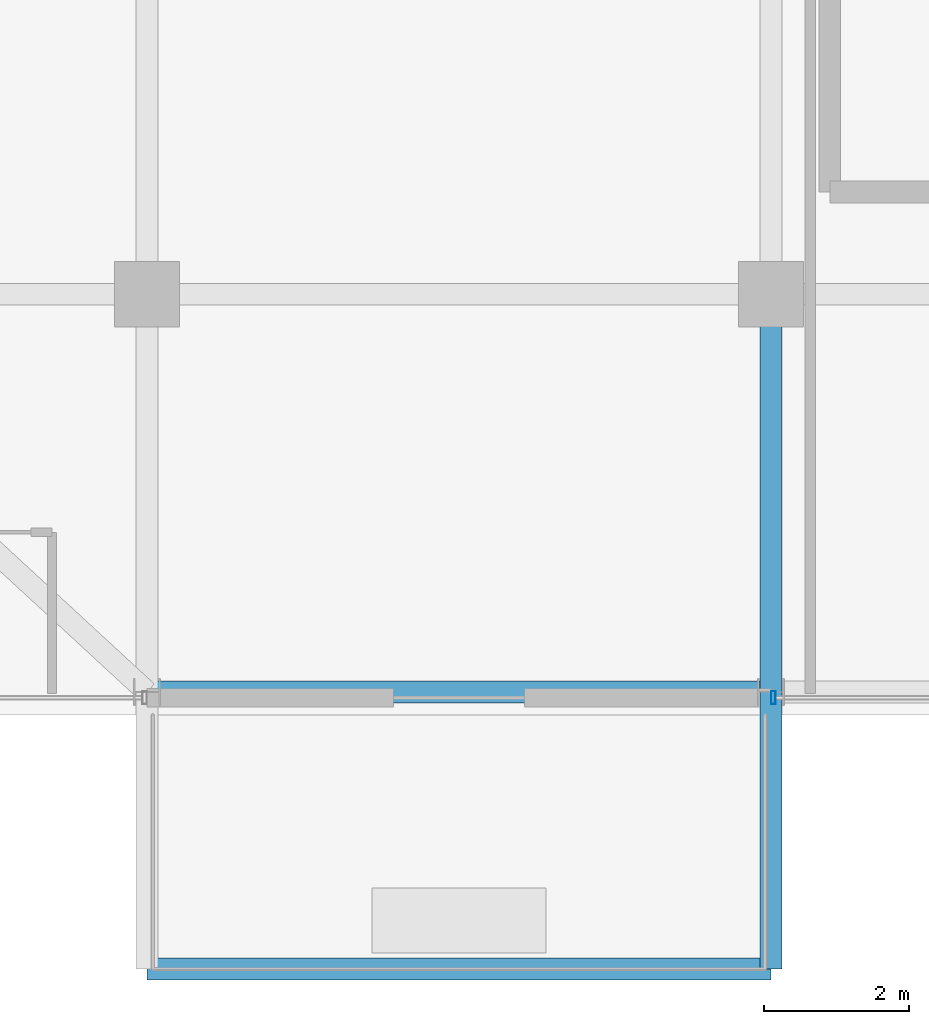
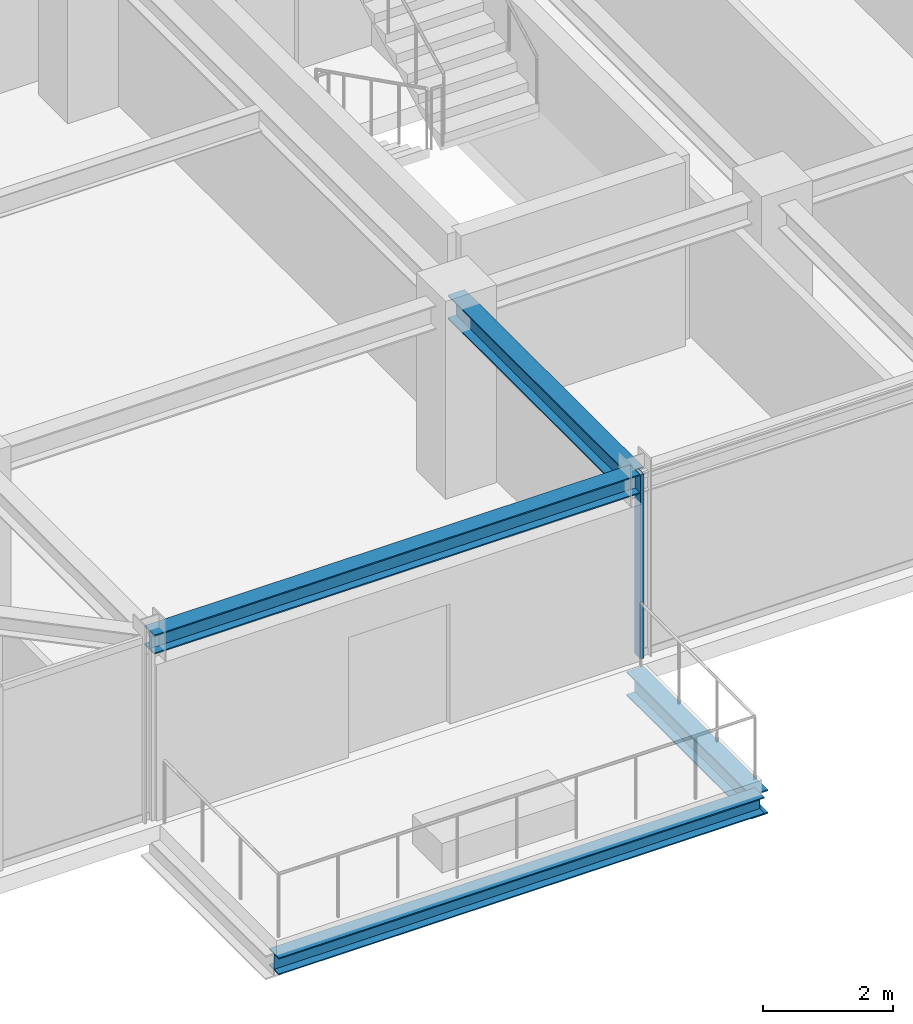
# One storey, part 5 of 32: 4 beams, 1 member, 1 element without a shape of its own.
"""IFC4 building model written with IfcOpenShell, lengths in metres."""

from ifc_helpers import new_model, si_unit, direction, frame, origin, origin_2d, place, context, subcontext, project, spatial, hollow_rectangle, i_section, extrude, source, transform, mapped, material, material_profile, profile_set, type_object, element, aggregate, save


model = new_model("IFC4")

# Units and contexts
model_context = context("Model", 3, precision=1e-05, world=origin(), true_north=direction((0.0, 1.0)))
body_context = subcontext(model_context, "Body", "Model", "MODEL_VIEW")
ifc_project = project(units=[si_unit("LENGTHUNIT", "METRE"), si_unit("AREAUNIT", "SQUARE_METRE"), si_unit("VOLUMEUNIT", "CUBIC_METRE"), si_unit("PLANEANGLEUNIT", "RADIAN"), si_unit("MASSUNIT", "GRAM", prefix="KILO")], contexts=[model_context])

# Site, building, storey
site_placement = place(None, origin())
site = spatial("IfcSite", under=ifc_project, at=site_placement, CompositionType="ELEMENT")
building_placement = place(site_placement, origin())
building = spatial("IfcBuilding", under=site, at=building_placement, Name="Nahalor Promenade Grand Hotel", CompositionType="ELEMENT")
storey_placement = place(building_placement, frame((0.0, 0.0, 285.050048828125)))
storey = spatial("IfcBuildingStorey", under=building, at=storey_placement, Name="L73", CompositionType="ELEMENT", Elevation=285.050048828125)

# Beams
ifc_material_1 = material(Name="Steel S355JR", Category="steel")
ifc_material_profile_1 = material_profile(ifc_material_1, i_section(OverallWidth=0.3, OverallDepth=0.32, WebThickness=0.0115, FlangeThickness=0.0205, at=origin_2d()), Name="HEB 320")
ifc_profile_set_1 = profile_set([ifc_material_profile_1], Name="Steel S355JR")
beam_type_1 = type_object("IfcBeamType", Name="Beam-BalcEdge-HEB320", PredefinedType="SPANDREL", material=ifc_profile_set_1)
shared_shape_1 = source(origin(), body_context, "Body", "SweptSolid", [
    extrude(i_section(OverallWidth=0.3, OverallDepth=0.32, WebThickness=0.0115, FlangeThickness=0.0205, at=origin_2d()), origin(), (0.0, 0.0, 1.0), 8.60009765625),
])
beam_1_placement = place(storey_placement, frame((-17.0, -26.300048828125, -0.43994140625), z_axis=(1.0, 0.0, 0.0), x_axis=(0.0, 1.0, 0.0)))
element("IfcBeam", 1, at=beam_1_placement, inside=storey, type_object=beam_type_1, Name="BM-L73-BC-01-F", PredefinedType="SPANDREL", context=body_context, shape_type="MappedRepresentation", body=[
    mapped(shared_shape_1, transform((0.0, 0.0, 0.0), scale=1.0)),
])
ifc_material_profile_2 = material_profile(ifc_material_1, i_section(OverallWidth=0.3, OverallDepth=0.45, WebThickness=0.014, FlangeThickness=0.026, at=origin_2d()), Name="HEB 450")
ifc_profile_set_2 = profile_set([ifc_material_profile_2], Name="Steel S355JR")
beam_type_2 = type_object("IfcBeamType", Name="Beam-Outrigger-HEB450", PredefinedType="BEAM", material=ifc_profile_set_2)
shared_shape_2 = source(origin(), body_context, "Body", "SweptSolid", [
    extrude(i_section(OverallWidth=0.3, OverallDepth=0.45, WebThickness=0.014, FlangeThickness=0.026, at=origin_2d()), origin(), (0.0, 0.0, 1.0), 3.820068359375),
])
beam_2_placement = place(storey_placement, frame((-8.39990234375, -26.300048828125, -0.505126953125), z_axis=(0.0, 1.0, 0.0), x_axis=(-1.0, 0.0, 0.0)))
element("IfcBeam", 2, at=beam_2_placement, inside=storey, type_object=beam_type_2, Name="BM-L73-BC-01-2", PredefinedType="BEAM", context=body_context, shape_type="MappedRepresentation", body=[
    mapped(shared_shape_2, transform((0.0, 0.0, 0.0), scale=1.0)),
])
ifc_material_profile_3 = material_profile(ifc_material_1, i_section(OverallWidth=0.3, OverallDepth=0.45, WebThickness=0.014, FlangeThickness=0.026, at=origin_2d()), Name="HEB 450")
ifc_profile_set_3 = profile_set([ifc_material_profile_3], Name="Steel S355JR")
beam_type_3 = type_object("IfcBeamType", Name="Beam-Girder-HEB450", PredefinedType="BEAM", material=ifc_profile_set_3)
shared_shape_3 = source(origin(), body_context, "Body", "SweptSolid", [
    extrude(i_section(OverallWidth=0.3, OverallDepth=0.45, WebThickness=0.014, FlangeThickness=0.026, at=origin_2d()), origin(), (0.0, 0.0, 1.0), 5.47998046875),
])
beam_3_placement = place(storey_placement, frame((-8.39990234375, -22.47998046875, 3.224853515625), z_axis=(0.0, 1.0, 0.0), x_axis=(-1.0, 0.0, 0.0)))
element("IfcBeam", 3, at=beam_3_placement, inside=storey, type_object=beam_type_3, Name="BM-L73-GY-1-0", PredefinedType="BEAM", context=body_context, shape_type="MappedRepresentation", body=[
    mapped(shared_shape_3, transform((0.0, 0.0, 0.0), scale=1.0)),
])
ifc_material_profile_4 = material_profile(ifc_material_1, i_section(OverallWidth=0.3, OverallDepth=0.36, WebThickness=0.0125, FlangeThickness=0.0225, at=origin_2d()), Name="HEB 360")
ifc_profile_set_4 = profile_set([ifc_material_profile_4], Name="Steel S355JR")
beam_type_4 = type_object("IfcBeamType", Name="Beam-Spandrel-HEB360", PredefinedType="SPANDREL", material=ifc_profile_set_4)
shared_shape_4 = source(origin(), body_context, "Body", "SweptSolid", [
    extrude(i_section(OverallWidth=0.3, OverallDepth=0.36, WebThickness=0.0125, FlangeThickness=0.0225, at=origin_2d()), origin(), (0.0, 0.0, 1.0), 8.60009765625),
])
beam_4_placement = place(storey_placement, frame((-17.0, -22.47998046875, 3.27001953125), z_axis=(1.0, 0.0, 0.0), x_axis=(0.0, 1.0, 0.0)))
element("IfcBeam", 4, at=beam_4_placement, inside=storey, type_object=beam_type_4, Name="BM-L73-SP-S-0", PredefinedType="SPANDREL", context=body_context, shape_type="MappedRepresentation", body=[
    mapped(shared_shape_4, transform((0.0, 0.0, 0.0), scale=1.0)),
])

# Curtain wall, member
ifc_material_2 = material(Name="Anodised Bronze Aluminium EN AW-6063 T6", Category="aluminium")
curtain_wall_type = type_object("IfcCurtainWallType", Name="CW2 Typical Hotel Flush Bronze Unitised Curtain Wall", PredefinedType="USERDEFINED", material=ifc_material_2)
curtain_wall_placement = place(storey_placement, origin())
curtain_wall = element("IfcCurtainWall", 5, at=curtain_wall_placement, inside=storey, type_object=curtain_wall_type, Name="L73 Curtain Wall CW-L73-S-3", ObjectType="UNITISED_CURTAIN_WALL", PredefinedType="USERDEFINED")
ifc_material_profile_5 = material_profile(ifc_material_2, hollow_rectangle(XDim=0.065, YDim=0.18, WallThickness=0.004, at=origin_2d()), Name="CWM 65x180x4")
ifc_profile_set_5 = profile_set([ifc_material_profile_5], Name="Anodised Bronze Aluminium EN AW-6063 T6")
member_type = type_object("IfcMemberType", Name="CWM2 Typical Bronze Mullion 65x180", PredefinedType="MULLION", material=ifc_profile_set_5)
shared_shape_5 = source(origin(), body_context, "Body", "SweptSolid", [
    extrude(hollow_rectangle(XDim=0.065, YDim=0.18, WallThickness=0.004, at=origin_2d()), origin(), (0.0, 0.0, 1.0), 3.449951171875),
])
member_placement = place(storey_placement, frame((-8.367431640625, -22.56005859375, 0.0), z_axis=(0.0, 0.0, 1.0), x_axis=(1.0, 0.0, 0.0)))
member = element("IfcMember", 6, at=member_placement, type_object=member_type, Name="CW-L73-S-3 Mullion 0", PredefinedType="MULLION", context=body_context, shape_type="MappedRepresentation", body=[
    mapped(shared_shape_5, transform((0.0, 0.0, 0.0), scale=1.0)),
])
aggregate(curtain_wall, [member])

save(model, "model.ifc")
